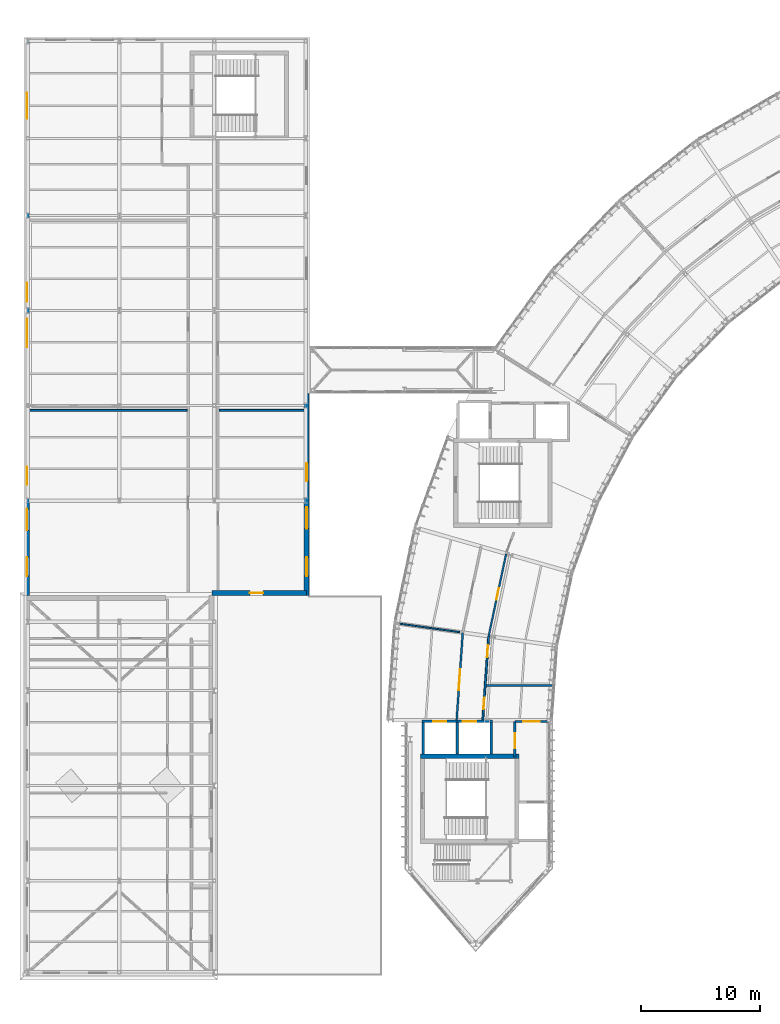
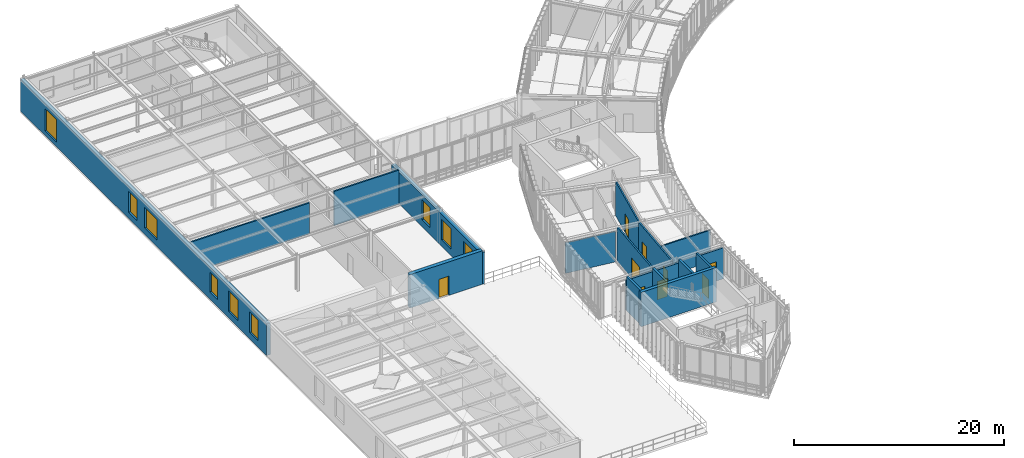
# One storey, part 39 of 52: 18 walls, 9 doors, 9 windows, 18 openings.
"""IFC4 building model written with IfcOpenShell, lengths in metres."""

from ifc_helpers import new_model, si_unit, direction, frame, frame_2d, origin, place, context, subcontext, project, spatial, rectangle, extrude, material, layer, layer_set, type_object, element, fill, save


model = new_model("IFC4")

# Units and contexts
model_context = context("Model", 3, precision=1e-05, world=origin(), true_north=direction((0.0, 1.0)))
body_context = subcontext(model_context, "Body", "Model", "MODEL_VIEW")
ifc_project = project(units=[si_unit("LENGTHUNIT", "METRE"), si_unit("AREAUNIT", "SQUARE_METRE"), si_unit("VOLUMEUNIT", "CUBIC_METRE"), si_unit("PLANEANGLEUNIT", "RADIAN"), si_unit("MASSUNIT", "GRAM", prefix="KILO"), si_unit("THERMODYNAMICTEMPERATUREUNIT", "KELVIN"), si_unit("POWERUNIT", "WATT")], contexts=[model_context])

# Site, building, storey
site_placement = place(None, origin())
site = spatial("IfcSite", under=ifc_project, at=site_placement, CompositionType="ELEMENT")
building_placement = place(site_placement, origin())
building = spatial("IfcBuilding", under=site, at=building_placement, Name="Solvatero Civic Police Headquarters", CompositionType="ELEMENT")
storey_placement = place(building_placement, frame((0.0, 0.0, 13.5)))
storey = spatial("IfcBuildingStorey", under=building, at=storey_placement, Name="L03", CompositionType="ELEMENT", Elevation=13.5)

# Wall, openings, windows
ifc_material_1 = material(Name="Cream Limestone Ashlar", Category="masonry")
ifc_layer_1 = layer(ifc_material_1, 0.419921875)
ifc_layer_set_1 = layer_set([ifc_layer_1], Name="Cream Limestone Ashlar")
wall_type_1 = type_object("IfcWallType", Name="WL-EXT-LIME-420", PredefinedType="SOLIDWALL", material=ifc_layer_set_1)
wall_1_placement = place(storey_placement, frame((4.719970703125, 36.5, 0.0), z_axis=(0.0, 0.0, 1.0), x_axis=(0.0, 1.0, 0.0)))
wall_1 = element("IfcWall", 1, at=wall_1_placement, inside=storey, type_object=wall_type_1, Name="Exterior Wall WLE-L03-V6-W", PredefinedType="SOLIDWALL", context=body_context, shape_type="SweptSolid", body=[
    extrude(rectangle(XDim=47.0, YDim=0.419921875, at=frame_2d((23.5, 0.0))), origin(), (0.0, 0.0, 1.0), 3.719970703125),
])
opening_1_placement = place(wall_1_placement, frame((1.64990234375, 0.0, 0.739990234375)))
opening_1 = element("IfcOpeningElement", 2, at=opening_1_placement, cuts=wall_1, Name="Opening W-04", PredefinedType="OPENING", context=body_context, shape_type="SweptSolid", body=[
    extrude(rectangle(XDim=1.60009765625, YDim=2.39990234375, at=frame_2d((0.800048828125, 1.199951171875))), frame((0.0, 0.219970703125, 0.0), z_axis=(0.0, -1.0, 0.0), x_axis=(1.0, 0.0, 0.0)), (0.0, 0.0, 1.0), 0.43994140625),
])
opening_2_placement = place(wall_1_placement, frame((5.5, 0.0, 0.739990234375)))
opening_2 = element("IfcOpeningElement", 3, at=opening_2_placement, cuts=wall_1, Name="Opening W-05", PredefinedType="OPENING", context=body_context, shape_type="SweptSolid", body=[
    extrude(rectangle(XDim=1.800048828125, YDim=2.39990234375, at=frame_2d((0.89990234375, 1.199951171875))), frame((0.0, 0.219970703125, 0.0), z_axis=(0.0, -1.0, 0.0), x_axis=(1.0, 0.0, 0.0)), (0.0, 0.0, 1.0), 0.43994140625),
])
opening_3_placement = place(wall_1_placement, frame((9.35009765625, 0.0, 0.840087890625)))
opening_3 = element("IfcOpeningElement", 4, at=opening_3_placement, cuts=wall_1, Name="Opening W-03", PredefinedType="OPENING", context=body_context, shape_type="SweptSolid", body=[
    extrude(rectangle(XDim=1.5, YDim=2.300048828125, at=frame_2d((0.75, 1.14990234375))), frame((0.0, 0.219970703125, 0.0), z_axis=(0.0, -1.0, 0.0), x_axis=(1.0, 0.0, 0.0)), (0.0, 0.0, 1.0), 0.43994140625),
])
opening_4_placement = place(wall_1_placement, frame((20.89990234375, 0.0, 0.739990234375)))
opening_4 = element("IfcOpeningElement", 5, at=opening_4_placement, cuts=wall_1, Name="Opening W-08", PredefinedType="OPENING", context=body_context, shape_type="SweptSolid", body=[
    extrude(rectangle(XDim=2.39990234375, YDim=2.39990234375, at=frame_2d((1.199951171875, 1.199951171875))), frame((0.0, 0.219970703125, 0.0), z_axis=(0.0, -1.0, 0.0), x_axis=(1.0, 0.0, 0.0)), (0.0, 0.0, 1.0), 0.43994140625),
])
opening_5_placement = place(wall_1_placement, frame((24.75, 0.0, 0.739990234375)))
opening_5 = element("IfcOpeningElement", 6, at=opening_5_placement, cuts=wall_1, Name="Opening W-04", PredefinedType="OPENING", context=body_context, shape_type="SweptSolid", body=[
    extrude(rectangle(XDim=1.60009765625, YDim=2.39990234375, at=frame_2d((0.800048828125, 1.199951171875))), frame((0.0, 0.219970703125, 0.0), z_axis=(0.0, -1.0, 0.0), x_axis=(1.0, 0.0, 0.0)), (0.0, 0.0, 1.0), 0.43994140625),
])
opening_6_placement = place(wall_1_placement, frame((40.14990234375, 0.0, 0.5400390625)))
opening_6 = element("IfcOpeningElement", 7, at=opening_6_placement, cuts=wall_1, Name="Opening W-07", PredefinedType="OPENING", context=body_context, shape_type="SweptSolid", body=[
    extrude(rectangle(XDim=2.199951171875, YDim=2.60009765625, at=frame_2d((1.10009765625, 1.300048828125))), frame((0.0, 0.219970703125, 0.0), z_axis=(0.0, -1.0, 0.0), x_axis=(1.0, 0.0, 0.0)), (0.0, 0.0, 1.0), 0.43994140625),
])
ifc_material_2 = material(Name="Anodized Bronze Aluminium", Category="aluminium")
window_type_1 = type_object("IfcWindowType", Name="WN-CL-150x230", PartitioningType="SINGLE_PANEL", PredefinedType="WINDOW", material=ifc_material_2)
window_1_placement = place(opening_3_placement, origin())
window_1 = element("IfcWindow", 8, at=window_1_placement, inside=storey, type_object=window_type_1, Name="Exterior Window 0096", OverallHeight=2.300048828125, OverallWidth=1.5, PartitioningType="SINGLE_PANEL", PredefinedType="WINDOW", context=body_context, shape_type="SweptSolid", body=[
    extrude(rectangle(XDim=1.5, YDim=2.300048828125, at=frame_2d((0.75, 1.14990234375))), frame((0.0, 0.030029296875, 0.0), z_axis=(0.0, -1.0, 0.0), x_axis=(1.0, 0.0, 0.0)), (0.0, 0.0, 1.0), 0.06005859375),
])
fill(opening_3, window_1)
window_type_2 = type_object("IfcWindowType", Name="WN-CL-160x240", PartitioningType="SINGLE_PANEL", PredefinedType="WINDOW", material=ifc_material_2)
window_2_placement = place(opening_1_placement, origin())
window_2 = element("IfcWindow", 9, at=window_2_placement, inside=storey, type_object=window_type_2, Name="Exterior Window 0094", OverallHeight=2.39990234375, OverallWidth=1.60009765625, PartitioningType="SINGLE_PANEL", PredefinedType="WINDOW", context=body_context, shape_type="SweptSolid", body=[
    extrude(rectangle(XDim=1.60009765625, YDim=2.39990234375, at=frame_2d((0.800048828125, 1.199951171875))), frame((0.0, 0.030029296875, 0.0), z_axis=(0.0, -1.0, 0.0), x_axis=(1.0, 0.0, 0.0)), (0.0, 0.0, 1.0), 0.06005859375),
])
fill(opening_1, window_2)
window_3_placement = place(opening_5_placement, origin())
window_3 = element("IfcWindow", 10, at=window_3_placement, inside=storey, type_object=window_type_2, Name="Exterior Window 0098", OverallHeight=2.39990234375, OverallWidth=1.60009765625, PartitioningType="SINGLE_PANEL", PredefinedType="WINDOW", context=body_context, shape_type="SweptSolid", body=[
    extrude(rectangle(XDim=1.60009765625, YDim=2.39990234375, at=frame_2d((0.800048828125, 1.199951171875))), frame((0.0, 0.030029296875, 0.0), z_axis=(0.0, -1.0, 0.0), x_axis=(1.0, 0.0, 0.0)), (0.0, 0.0, 1.0), 0.06005859375),
])
fill(opening_5, window_3)
window_type_3 = type_object("IfcWindowType", Name="WN-CL-180x240", PartitioningType="SINGLE_PANEL", PredefinedType="WINDOW", material=ifc_material_2)
window_4_placement = place(opening_2_placement, origin())
window_4 = element("IfcWindow", 11, at=window_4_placement, inside=storey, type_object=window_type_3, Name="Exterior Window 0095", OverallHeight=2.39990234375, OverallWidth=1.800048828125, PartitioningType="SINGLE_PANEL", PredefinedType="WINDOW", context=body_context, shape_type="SweptSolid", body=[
    extrude(rectangle(XDim=1.800048828125, YDim=2.39990234375, at=frame_2d((0.89990234375, 1.199951171875))), frame((0.0, 0.030029296875, 0.0), z_axis=(0.0, -1.0, 0.0), x_axis=(1.0, 0.0, 0.0)), (0.0, 0.0, 1.0), 0.06005859375),
])
fill(opening_2, window_4)
window_type_4 = type_object("IfcWindowType", Name="WN-CL-220x260", PartitioningType="SINGLE_PANEL", PredefinedType="WINDOW", material=ifc_material_2)
window_5_placement = place(opening_6_placement, origin())
window_5 = element("IfcWindow", 12, at=window_5_placement, inside=storey, type_object=window_type_4, Name="Exterior Window 0099", OverallHeight=2.60009765625, OverallWidth=2.199951171875, PartitioningType="SINGLE_PANEL", PredefinedType="WINDOW", context=body_context, shape_type="SweptSolid", body=[
    extrude(rectangle(XDim=2.199951171875, YDim=2.60009765625, at=frame_2d((1.10009765625, 1.300048828125))), frame((0.0, 0.030029296875, 0.0), z_axis=(0.0, -1.0, 0.0), x_axis=(1.0, 0.0, 0.0)), (0.0, 0.0, 1.0), 0.06005859375),
])
fill(opening_6, window_5)
window_type_5 = type_object("IfcWindowType", Name="WN-CL-240x240", PartitioningType="SINGLE_PANEL", PredefinedType="WINDOW", material=ifc_material_2)
window_6_placement = place(opening_4_placement, origin())
window_6 = element("IfcWindow", 13, at=window_6_placement, inside=storey, type_object=window_type_5, Name="Exterior Window 0097", OverallHeight=2.39990234375, OverallWidth=2.39990234375, PartitioningType="SINGLE_PANEL", PredefinedType="WINDOW", context=body_context, shape_type="SweptSolid", body=[
    extrude(rectangle(XDim=2.39990234375, YDim=2.39990234375, at=frame_2d((1.199951171875, 1.199951171875))), frame((0.0, 0.030029296875, 0.0), z_axis=(0.0, -1.0, 0.0), x_axis=(1.0, 0.0, 0.0)), (0.0, 0.0, 1.0), 0.06005859375),
])
fill(opening_4, window_6)

wall_2_placement = place(storey_placement, frame((28.280029296875, 36.5, 0.0), z_axis=(0.0, 0.0, 1.0), x_axis=(0.0, 1.0, 0.0)))
wall_2 = element("IfcWall", 14, at=wall_2_placement, inside=storey, type_object=wall_type_1, Name="Exterior Wall WLE-L03-V6-EA", PredefinedType="SOLIDWALL", context=body_context, shape_type="SweptSolid", body=[
    extrude(rectangle(XDim=17.0, YDim=0.419921875, at=frame_2d((8.5, 0.0))), origin(), (0.0, 0.0, 1.0), 3.719970703125),
])
opening_7_placement = place(wall_2_placement, frame((1.64990234375, 0.0, 0.739990234375)))
opening_7 = element("IfcOpeningElement", 15, at=opening_7_placement, cuts=wall_2, Name="Opening W-04", PredefinedType="OPENING", context=body_context, shape_type="SweptSolid", body=[
    extrude(rectangle(XDim=1.60009765625, YDim=2.39990234375, at=frame_2d((0.800048828125, 1.199951171875))), frame((0.0, 0.219970703125, 0.0), z_axis=(0.0, -1.0, 0.0), x_axis=(1.0, 0.0, 0.0)), (0.0, 0.0, 1.0), 0.43994140625),
])
opening_8_placement = place(wall_2_placement, frame((5.64990234375, 0.0, 0.739990234375)))
opening_8 = element("IfcOpeningElement", 16, at=opening_8_placement, cuts=wall_2, Name="Opening W-05", PredefinedType="OPENING", context=body_context, shape_type="SweptSolid", body=[
    extrude(rectangle(XDim=1.800048828125, YDim=2.39990234375, at=frame_2d((0.89990234375, 1.199951171875))), frame((0.0, 0.219970703125, 0.0), z_axis=(0.0, -1.0, 0.0), x_axis=(1.0, 0.0, 0.0)), (0.0, 0.0, 1.0), 0.43994140625),
])
opening_9_placement = place(wall_2_placement, frame((9.64990234375, 0.0, 0.840087890625)))
opening_9 = element("IfcOpeningElement", 17, at=opening_9_placement, cuts=wall_2, Name="Opening W-03", PredefinedType="OPENING", context=body_context, shape_type="SweptSolid", body=[
    extrude(rectangle(XDim=1.5, YDim=2.300048828125, at=frame_2d((0.75, 1.14990234375))), frame((0.0, 0.219970703125, 0.0), z_axis=(0.0, -1.0, 0.0), x_axis=(1.0, 0.0, 0.0)), (0.0, 0.0, 1.0), 0.43994140625),
])
window_7_placement = place(opening_9_placement, origin())
window_7 = element("IfcWindow", 18, at=window_7_placement, inside=storey, type_object=window_type_1, Name="Exterior Window 0090", OverallHeight=2.300048828125, OverallWidth=1.5, PartitioningType="SINGLE_PANEL", PredefinedType="WINDOW", context=body_context, shape_type="SweptSolid", body=[
    extrude(rectangle(XDim=1.5, YDim=2.300048828125, at=frame_2d((0.75, 1.14990234375))), frame((0.0, 0.030029296875, 0.0), z_axis=(0.0, -1.0, 0.0), x_axis=(1.0, 0.0, 0.0)), (0.0, 0.0, 1.0), 0.06005859375),
])
fill(opening_9, window_7)
window_8_placement = place(opening_7_placement, origin())
window_8 = element("IfcWindow", 19, at=window_8_placement, inside=storey, type_object=window_type_2, Name="Exterior Window 0088", OverallHeight=2.39990234375, OverallWidth=1.60009765625, PartitioningType="SINGLE_PANEL", PredefinedType="WINDOW", context=body_context, shape_type="SweptSolid", body=[
    extrude(rectangle(XDim=1.60009765625, YDim=2.39990234375, at=frame_2d((0.800048828125, 1.199951171875))), frame((0.0, 0.030029296875, 0.0), z_axis=(0.0, -1.0, 0.0), x_axis=(1.0, 0.0, 0.0)), (0.0, 0.0, 1.0), 0.06005859375),
])
fill(opening_7, window_8)
window_9_placement = place(opening_8_placement, origin())
window_9 = element("IfcWindow", 20, at=window_9_placement, inside=storey, type_object=window_type_3, Name="Exterior Window 0089", OverallHeight=2.39990234375, OverallWidth=1.800048828125, PartitioningType="SINGLE_PANEL", PredefinedType="WINDOW", context=body_context, shape_type="SweptSolid", body=[
    extrude(rectangle(XDim=1.800048828125, YDim=2.39990234375, at=frame_2d((0.89990234375, 1.199951171875))), frame((0.0, 0.030029296875, 0.0), z_axis=(0.0, -1.0, 0.0), x_axis=(1.0, 0.0, 0.0)), (0.0, 0.0, 1.0), 0.06005859375),
])
fill(opening_8, window_9)

# Wall, opening, door
wall_3_placement = place(storey_placement, frame((20.300048828125, 36.7099609375, 0.0), z_axis=(0.0, 0.0, 1.0), x_axis=(1.0, 0.0, 0.0)))
wall_3 = element("IfcWall", 21, at=wall_3_placement, inside=storey, type_object=wall_type_1, Name="Exterior Wall WLE-L03-V6-S", PredefinedType="SOLIDWALL", context=body_context, shape_type="SweptSolid", body=[
    extrude(rectangle(XDim=7.97998046875, YDim=0.419921875, at=frame_2d((3.989990234375, 0.0))), origin(), (0.0, 0.0, 1.0), 3.89990234375),
])
opening_10_placement = place(wall_3_placement, frame((4.300048828125, 0.0, 0.0), z_axis=(0.0, 0.0, 1.0), x_axis=(-1.0, 0.0, 0.0)))
opening_10 = element("IfcOpeningElement", 22, at=opening_10_placement, cuts=wall_3, Name="Opening ED-02", PredefinedType="OPENING", context=body_context, shape_type="SweptSolid", body=[
    extrude(rectangle(XDim=1.10009765625, YDim=2.25, at=frame_2d((0.550048828125, 1.125))), frame((0.0, 0.219970703125, 0.0), z_axis=(0.0, -1.0, 0.0), x_axis=(1.0, 0.0, 0.0)), (0.0, 0.0, 1.0), 0.43994140625),
])
ifc_material_3 = material(Name="Anodized Bronze Aluminium and Laminated Glass", Category="aluminium")
door_type_1 = type_object("IfcDoorType", Name="DR-EXT-110x225", OperationType="NOTDEFINED", PredefinedType="DOOR", material=ifc_material_3)
door_1_placement = place(opening_10_placement, origin())
door_1 = element("IfcDoor", 23, at=door_1_placement, inside=storey, type_object=door_type_1, Name="Exterior Door DR-L03-V6-TRG4", OperationType="SINGLE_SWING_LEFT", OverallHeight=2.25, OverallWidth=1.10009765625, PredefinedType="DOOR", context=body_context, shape_type="SweptSolid", body=[
    extrude(rectangle(XDim=1.10009765625, YDim=2.25, at=frame_2d((0.550048828125, 1.125))), frame((0.0, 0.02490234375, 0.0), z_axis=(0.0, -1.0, 0.0), x_axis=(1.0, 0.0, 0.0)), (0.0, 0.0, 1.0), 0.050048828125),
])
fill(opening_10, door_1)

# Wall
ifc_material_4 = material(Name="Gypsum Acoustic Stud", Category="gypsum")
ifc_layer_2 = layer(ifc_material_4, 0.1201171875)
ifc_layer_set_2 = layer_set([ifc_layer_2], Name="Gypsum Acoustic Stud")
wall_type_2 = type_object("IfcWallType", Name="WL-PTN-120", PredefinedType="PARTITIONING", material=ifc_layer_set_2)
wall_4_placement = place(storey_placement, frame((41.169189453125, 33.4248046875, 0.0), z_axis=(0.0, 0.0, 1.0), x_axis=(-0.990266484291, 0.13918437445, 0.0)))
element("IfcWall", 24, at=wall_4_placement, inside=storey, type_object=wall_type_2, Name="Interior Partition WLP-L03-ARC-RAD-B11", PredefinedType="PARTITIONING", context=body_context, shape_type="SweptSolid", body=[
    extrude(rectangle(XDim=5.14990234375, YDim=0.1201171875, at=frame_2d((2.574951171875, 0.0))), origin(), (0.0, 0.0, 1.0), 3.550048828125),
])

# Wall, opening, door
ifc_layer_3 = layer(ifc_material_4, 0.14990234375)
ifc_layer_set_3 = layer_set([ifc_layer_3], Name="Gypsum Acoustic Stud")
wall_type_3 = type_object("IfcWallType", Name="WL-PTN-150", PredefinedType="PARTITIONING", material=ifc_layer_set_3)
wall_5_placement = place(storey_placement, frame((45.07177734375, 40.02978515625, 0.0), z_axis=(0.0, 0.0, 1.0), x_axis=(-0.207903987445, -0.978149238104, 0.0)))
wall_5 = element("IfcWall", 25, at=wall_5_placement, inside=storey, type_object=wall_type_3, Name="Interior Partition WLP-L03-ARC-CIN-B11", PredefinedType="PARTITIONING", context=body_context, shape_type="SweptSolid", body=[
    extrude(rectangle(XDim=7.10107421875, YDim=0.14990234375, at=frame_2d((3.550537109375, 0.0))), origin(), (0.0, 0.0, 1.0), 3.97998046875),
])
opening_11_placement = place(wall_5_placement, frame((2.98193359375, 0.0, 0.0)))
opening_11 = element("IfcOpeningElement", 26, at=opening_11_placement, cuts=wall_5, Name="Opening ID-05", PredefinedType="OPENING", context=body_context, shape_type="SweptSolid", body=[
    extrude(rectangle(XDim=0.97998046875, YDim=2.159912109375, at=frame_2d((0.489990234375, 1.080078125))), frame((0.0, 0.0849609375, 0.0), z_axis=(0.0, -1.0, 0.0), x_axis=(1.0, 0.0, 0.0)), (0.0, 0.0, 1.0), 0.169921875),
])
ifc_material_5 = material(Name="Powder-Coated Steel", Category="steel")
door_type_2 = type_object("IfcDoorType", Name="DR-OFF-098x216", OperationType="NOTDEFINED", PredefinedType="DOOR", material=ifc_material_5)
door_2_placement = place(opening_11_placement, origin())
door_2 = element("IfcDoor", 27, at=door_2_placement, inside=storey, type_object=door_type_2, Name="Interior Door DR-L03-ARC-IN-B11", OperationType="SINGLE_SWING_RIGHT", OverallHeight=2.159912109375, OverallWidth=0.97998046875, PredefinedType="DOOR", context=body_context, shape_type="SweptSolid", body=[
    extrude(rectangle(XDim=0.97998046875, YDim=2.159912109375, at=frame_2d((0.489990234375, 1.080078125))), frame((0.0, 0.02490234375, 0.0), z_axis=(0.0, -1.0, 0.0), x_axis=(1.0, 0.0, 0.0)), (0.0, 0.0, 1.0), 0.050048828125),
])
fill(opening_11, door_2)

# Walls
wall_6_placement = place(storey_placement, frame((43.374755859375, 28.929931640625, 0.0), z_axis=(0.0, 0.0, 1.0), x_axis=(1.0, 0.0, 0.0)))
element("IfcWall", 28, at=wall_6_placement, inside=storey, type_object=wall_type_3, Name="Interior Partition WLP-L03-ARC-WCDIV-B12", PredefinedType="PARTITIONING", context=body_context, shape_type="SweptSolid", body=[
    extrude(rectangle(XDim=5.630126953125, YDim=0.14990234375, at=frame_2d((2.81494140625, 0.0))), origin(), (0.0, 0.0, 1.0), 3.697998046875),
])
ifc_material_6 = material(Name="Concrete Blockwork", Category="masonry")
ifc_layer_4 = layer(ifc_material_6, 0.1650390625)
ifc_layer_set_4 = layer_set([ifc_layer_4], Name="Concrete Blockwork")
wall_type_4 = type_object("IfcWallType", Name="WL-PTN-165", PredefinedType="PARTITIONING", material=ifc_layer_set_4)
wall_7_placement = place(storey_placement, frame((5.0, 52.10009765625, 0.0), z_axis=(0.0, 0.0, 1.0), x_axis=(1.0, 0.0, 0.0)))
element("IfcWall", 29, at=wall_7_placement, inside=storey, type_object=wall_type_4, Name="Interior Partition WLP-L03-V6-H1", PredefinedType="PARTITIONING", context=body_context, shape_type="SweptSolid", body=[
    extrude(rectangle(XDim=13.199951171875, YDim=0.1650390625, at=frame_2d((6.60009765625, 0.0))), origin(), (0.0, 0.0, 1.0), 3.597900390625),
])
wall_8_placement = place(storey_placement, frame((20.89990234375, 52.10009765625, 0.0), z_axis=(0.0, 0.0, 1.0), x_axis=(1.0, 0.0, 0.0)))
element("IfcWall", 30, at=wall_8_placement, inside=storey, type_object=wall_type_4, Name="Interior Partition WLP-L03-V6-H2", PredefinedType="PARTITIONING", context=body_context, shape_type="SweptSolid", body=[
    extrude(rectangle(XDim=7.150146484375, YDim=0.1650390625, at=frame_2d((3.5751953125, 0.0))), origin(), (0.0, 0.0, 1.0), 3.97998046875),
])

# Wall, openings, doors
wall_9_placement = place(storey_placement, frame((43.595458984375, 33.083984375, 0.0), z_axis=(0.0, 0.0, 1.0), x_axis=(-0.069756597752, -0.997564041588, 0.0)))
wall_9 = element("IfcWall", 31, at=wall_9_placement, inside=storey, type_object=wall_type_4, Name="Interior Partition WLP-L03-ARC-CIN-B12", PredefinedType="PARTITIONING", context=body_context, shape_type="SweptSolid", body=[
    extrude(rectangle(XDim=7.101318359375, YDim=0.1650390625, at=frame_2d((3.55078125, 0.0))), origin(), (0.0, 0.0, 1.0), 3.97998046875),
])
opening_12_placement = place(wall_9_placement, frame((5.200927734375, 0.0, 0.0)))
opening_12 = element("IfcOpeningElement", 32, at=opening_12_placement, cuts=wall_9, Name="Opening ID-04", PredefinedType="OPENING", context=body_context, shape_type="SweptSolid", body=[
    extrude(rectangle(XDim=0.949951171875, YDim=2.14990234375, at=frame_2d((0.47509765625, 1.074951171875))), frame((0.0, 0.092529296875, 0.0), z_axis=(0.0, -1.0, 0.0), x_axis=(1.0, 0.0, 0.0)), (0.0, 0.0, 1.0), 0.18505859375),
])
opening_13_placement = place(wall_9_placement, frame((0.75, 0.0, 0.0)))
opening_13 = element("IfcOpeningElement", 33, at=opening_13_placement, cuts=wall_9, Name="Opening ID-06", PredefinedType="OPENING", context=body_context, shape_type="SweptSolid", body=[
    extrude(rectangle(XDim=1.02001953125, YDim=2.179931640625, at=frame_2d((0.510009765625, 1.08984375))), frame((0.0, 0.092529296875, 0.0), z_axis=(0.0, -1.0, 0.0), x_axis=(1.0, 0.0, 0.0)), (0.0, 0.0, 1.0), 0.18505859375),
])
ifc_material_7 = material(Name="Acoustic Oak Timber Veneer", Category="wood")
door_type_3 = type_object("IfcDoorType", Name="DR-ACC-095x215", OperationType="NOTDEFINED", PredefinedType="DOOR", material=ifc_material_7)
door_3_placement = place(opening_12_placement, origin())
door_3 = element("IfcDoor", 34, at=door_3_placement, inside=storey, type_object=door_type_3, Name="Interior Door DR-L03-ARC-WC-B12", OperationType="SINGLE_SWING_RIGHT", OverallHeight=2.14990234375, OverallWidth=0.949951171875, PredefinedType="DOOR", context=body_context, shape_type="SweptSolid", body=[
    extrude(rectangle(XDim=0.949951171875, YDim=2.14990234375, at=frame_2d((0.47509765625, 1.074951171875))), frame((0.0, 0.02490234375, 0.0), z_axis=(0.0, -1.0, 0.0), x_axis=(1.0, 0.0, 0.0)), (0.0, 0.0, 1.0), 0.050048828125),
])
fill(opening_12, door_3)
door_type_4 = type_object("IfcDoorType", Name="DR-LAB-102x218", OperationType="NOTDEFINED", PredefinedType="DOOR", material=ifc_material_5)
door_4_placement = place(opening_13_placement, origin())
door_4 = element("IfcDoor", 35, at=door_4_placement, inside=storey, type_object=door_type_4, Name="Interior Door DR-L03-ARC-IN-B12", OperationType="SINGLE_SWING_LEFT", OverallHeight=2.179931640625, OverallWidth=1.02001953125, PredefinedType="DOOR", context=body_context, shape_type="SweptSolid", body=[
    extrude(rectangle(XDim=1.02001953125, YDim=2.179931640625, at=frame_2d((0.510009765625, 1.08984375))), frame((0.0, 0.02490234375, 0.0), z_axis=(0.0, -1.0, 0.0), x_axis=(1.0, 0.0, 0.0)), (0.0, 0.0, 1.0), 0.050048828125),
])
fill(opening_13, door_4)

# Wall, opening, door
wall_10_placement = place(storey_placement, frame((41.416748046875, 33.39013671875, 0.0), z_axis=(0.0, 0.0, 1.0), x_axis=(-0.069766817412, -0.997563326906, 0.0)))
wall_10 = element("IfcWall", 36, at=wall_10_placement, inside=storey, type_object=wall_type_4, Name="Interior Partition WLP-L03-ARC-COUT-B12", PredefinedType="PARTITIONING", context=body_context, shape_type="SweptSolid", body=[
    extrude(rectangle(XDim=7.408203125, YDim=0.1650390625, at=frame_2d((3.7041015625, 0.0))), origin(), (0.0, 0.0, 1.0), 3.97998046875),
])
opening_14_placement = place(wall_10_placement, frame((3.111083984375, 0.0, 0.0)))
opening_14 = element("IfcOpeningElement", 37, at=opening_14_placement, cuts=wall_10, Name="Opening ID-17", PredefinedType="OPENING", context=body_context, shape_type="SweptSolid", body=[
    extrude(rectangle(XDim=1.760009765625, YDim=2.360107421875, at=frame_2d((0.8798828125, 1.18017578125))), frame((0.0, 0.092529296875, 0.0), z_axis=(0.0, -1.0, 0.0), x_axis=(1.0, 0.0, 0.0)), (0.0, 0.0, 1.0), 0.18505859375),
])
door_type_5 = type_object("IfcDoorType", Name="DR-DBL-176x236", OperationType="NOTDEFINED", PredefinedType="DOOR", material=ifc_material_5)
door_5_placement = place(opening_14_placement, origin())
door_5 = element("IfcDoor", 38, at=door_5_placement, inside=storey, type_object=door_type_5, Name="Interior Door DR-L03-ARC-OUT-B12", OperationType="DOUBLE_DOOR_SINGLE_SWING", OverallHeight=2.360107421875, OverallWidth=1.760009765625, PredefinedType="DOOR", context=body_context, shape_type="SweptSolid", body=[
    extrude(rectangle(XDim=1.760009765625, YDim=2.360107421875, at=frame_2d((0.8798828125, 1.18017578125))), frame((0.0, 0.02490234375, 0.0), z_axis=(0.0, -1.0, 0.0), x_axis=(1.0, 0.0, 0.0)), (0.0, 0.0, 1.0), 0.050048828125),
])
fill(opening_14, door_5)

ifc_layer_5 = layer(ifc_material_6, 0.199951171875)
ifc_layer_set_5 = layer_set([ifc_layer_5], Name="Concrete Blockwork")
wall_type_5 = type_object("IfcWallType", Name="WL-PTN-200", PredefinedType="PARTITIONING", material=ifc_layer_set_5)
wall_11_placement = place(storey_placement, frame((45.800048828125, 22.89990234375, 0.0), z_axis=(0.0, 0.0, 1.0), x_axis=(0.0, 1.0, 0.0)))
wall_11 = element("IfcWall", 39, at=wall_11_placement, inside=storey, type_object=wall_type_5, Name="Interior Partition WLP-FFL-C1-L03-W", PredefinedType="PARTITIONING", context=body_context, shape_type="SweptSolid", body=[
    extrude(rectangle(XDim=3.0, YDim=0.199951171875, at=frame_2d((1.5, 0.0))), origin(), (0.0, 0.0, 1.0), 3.97998046875),
])
opening_15_placement = place(wall_11_placement, frame((0.75, 0.0, 0.0)))
opening_15 = element("IfcOpeningElement", 40, at=opening_15_placement, cuts=wall_11, Name="Opening FD-01", PredefinedType="OPENING", context=body_context, shape_type="SweptSolid", body=[
    extrude(rectangle(XDim=1.25, YDim=2.199951171875, at=frame_2d((0.625, 1.10009765625))), frame((0.0, 0.10986328125, 0.0), z_axis=(0.0, -1.0, 0.0), x_axis=(1.0, 0.0, 0.0)), (0.0, 0.0, 1.0), 0.219970703125),
])
door_type_6 = type_object("IfcDoorType", Name="DR-STR-125x220", OperationType="NOTDEFINED", PredefinedType="DOOR", material=ifc_material_5)
door_6_placement = place(opening_15_placement, origin())
door_6 = element("IfcDoor", 41, at=door_6_placement, inside=storey, type_object=door_type_6, Name="Interior Door DR-FFL-C1-L03-W", OperationType="SINGLE_SWING_LEFT", OverallHeight=2.199951171875, OverallWidth=1.25, PredefinedType="DOOR", context=body_context, shape_type="SweptSolid", body=[
    extrude(rectangle(XDim=1.25, YDim=2.199951171875, at=frame_2d((0.625, 1.10009765625))), frame((0.0, 0.02490234375, 0.0), z_axis=(0.0, -1.0, 0.0), x_axis=(1.0, 0.0, 0.0)), (0.0, 0.0, 1.0), 0.050048828125),
])
fill(opening_15, door_6)

wall_12_placement = place(storey_placement, frame((45.800048828125, 25.89990234375, 0.0), z_axis=(0.0, 0.0, 1.0), x_axis=(1.0, 0.0, 0.0)))
wall_12 = element("IfcWall", 42, at=wall_12_placement, inside=storey, type_object=wall_type_5, Name="Interior Partition WLP-FFL-C1-L03-N", PredefinedType="PARTITIONING", context=body_context, shape_type="SweptSolid", body=[
    extrude(rectangle(XDim=2.849853515625, YDim=0.199951171875, at=frame_2d((1.4248046875, 0.0))), origin(), (0.0, 0.0, 1.0), 3.60009765625),
])
opening_16_placement = place(wall_12_placement, frame((0.699951171875, 0.0, 0.0)))
opening_16 = element("IfcOpeningElement", 43, at=opening_16_placement, cuts=wall_12, Name="Opening FD-02", PredefinedType="OPENING", context=body_context, shape_type="SweptSolid", body=[
    extrude(rectangle(XDim=1.39990234375, YDim=2.25, at=frame_2d((0.699951171875, 1.125))), frame((0.0, 0.10986328125, 0.0), z_axis=(0.0, -1.0, 0.0), x_axis=(1.0, 0.0, 0.0)), (0.0, 0.0, 1.0), 0.219970703125),
])
door_type_7 = type_object("IfcDoorType", Name="DR-LOB-140x225", OperationType="NOTDEFINED", PredefinedType="DOOR", material=ifc_material_5)
door_7_placement = place(opening_16_placement, origin())
door_7 = element("IfcDoor", 44, at=door_7_placement, inside=storey, type_object=door_type_7, Name="Interior Door DR-FFL-C1-L03-ACC", OperationType="DOUBLE_DOOR_SINGLE_SWING", OverallHeight=2.25, OverallWidth=1.39990234375, PredefinedType="DOOR", context=body_context, shape_type="SweptSolid", body=[
    extrude(rectangle(XDim=1.39990234375, YDim=2.25, at=frame_2d((0.699951171875, 1.125))), frame((0.0, 0.02490234375, 0.0), z_axis=(0.0, -1.0, 0.0), x_axis=(1.0, 0.0, 0.0)), (0.0, 0.0, 1.0), 0.050048828125),
])
fill(opening_16, door_7)

ifc_material_8 = material(Name="Concrete C35/45", Category="concrete")
ifc_layer_6 = layer(ifc_material_8, 0.219970703125)
ifc_layer_set_6 = layer_set([ifc_layer_6], Name="Concrete C35/45")
wall_type_6 = type_object("IfcWallType", Name="WL-SHF-220", PredefinedType="PARTITIONING", material=ifc_layer_set_6)
wall_13_placement = place(storey_placement, frame((37.97998046875, 25.909912109375, 0.0), z_axis=(0.0, 0.0, 1.0), x_axis=(1.0, 0.0, 0.0)))
wall_13 = element("IfcWall", 45, at=wall_13_placement, inside=storey, type_object=wall_type_6, Name="Lift Shaft Wall WLS-LP-01-L03-N", PredefinedType="PARTITIONING", context=body_context, shape_type="SweptSolid", body=[
    extrude(rectangle(XDim=2.969970703125, YDim=0.219970703125, at=frame_2d((1.48486328125, 0.0))), origin(), (0.0, 0.0, 1.0), 3.550048828125),
])
opening_17_placement = place(wall_13_placement, frame((0.93505859375, 0.0, 0.0)))
opening_17 = element("IfcOpeningElement", 46, at=opening_17_placement, cuts=wall_13, Name="Opening LD-01", PredefinedType="OPENING", context=body_context, shape_type="SweptSolid", body=[
    extrude(rectangle(XDim=1.10009765625, YDim=2.14990234375, at=frame_2d((0.550048828125, 1.074951171875))), frame((0.0, 0.119873046875, 0.0), z_axis=(0.0, -1.0, 0.0), x_axis=(1.0, 0.0, 0.0)), (0.0, 0.0, 1.0), 0.239990234375),
])
ifc_material_9 = material(Name="Stainless Steel Grade 316", Category="steel")
door_type_8 = type_object("IfcDoorType", Name="DR-LFT-110x215", OperationType="DOUBLE_DOOR_SLIDING", PredefinedType="DOOR", material=ifc_material_9)
door_8_placement = place(opening_17_placement, origin())
door_8 = element("IfcDoor", 47, at=door_8_placement, inside=storey, type_object=door_type_8, Name="Interior Door DR-LFT-LP-01-L03", OperationType="DOUBLE_DOOR_SLIDING", OverallHeight=2.14990234375, OverallWidth=1.10009765625, PredefinedType="DOOR", context=body_context, shape_type="SweptSolid", body=[
    extrude(rectangle(XDim=1.10009765625, YDim=2.14990234375, at=frame_2d((0.550048828125, 1.074951171875))), frame((0.0, 0.02490234375, 0.0), z_axis=(0.0, -1.0, 0.0), x_axis=(1.0, 0.0, 0.0)), (0.0, 0.0, 1.0), 0.050048828125),
])
fill(opening_17, door_8)

# Walls
for number, where, z_axis, x_axis, name in (
    (48, (38.090087890625, 23.159912109375, 0.0), (0.0, 0.0, 1.0), (0.0, 1.0, 0.0), "Lift Shaft Wall WLS-LP-01-L03-W"),
    (49, (40.949951171875, 23.159912109375, 0.0), (0.0, 0.0, 1.0), (0.0, 1.0, 0.0), "Lift Shaft Wall WLS-LP-01-L03-E"),
):
    element("IfcWall", number, at=place(storey_placement, frame(where, z_axis=z_axis, x_axis=x_axis)), inside=storey, type_object=wall_type_6, Name=name, PredefinedType="PARTITIONING", context=body_context, shape_type="SweptSolid", body=[
        extrude(rectangle(XDim=2.64013671875, YDim=0.219970703125, at=frame_2d((1.320068359375, 0.0))), origin(), (0.0, 0.0, 1.0), 3.97998046875),
    ])

# Wall, opening, door
wall_14_placement = place(storey_placement, frame((40.949951171875, 25.909912109375, 0.0), z_axis=(0.0, 0.0, 1.0), x_axis=(1.0, 0.0, 0.0)))
wall_14 = element("IfcWall", 50, at=wall_14_placement, inside=storey, type_object=wall_type_6, Name="Lift Shaft Wall WLS-LP-02-L03-N", PredefinedType="PARTITIONING", context=body_context, shape_type="SweptSolid", body=[
    extrude(rectangle(XDim=2.969970703125, YDim=0.219970703125, at=frame_2d((1.48486328125, 0.0))), origin(), (0.0, 0.0, 1.0), 3.550048828125),
])
opening_18_placement = place(wall_14_placement, frame((0.485107421875, 0.0, 0.0)))
opening_18 = element("IfcOpeningElement", 51, at=opening_18_placement, cuts=wall_14, Name="Opening LD-01", PredefinedType="OPENING", context=body_context, shape_type="SweptSolid", body=[
    extrude(rectangle(XDim=1.10009765625, YDim=2.14990234375, at=frame_2d((0.550048828125, 1.074951171875))), frame((0.0, 0.119873046875, 0.0), z_axis=(0.0, -1.0, 0.0), x_axis=(1.0, 0.0, 0.0)), (0.0, 0.0, 1.0), 0.239990234375),
])
door_9_placement = place(opening_18_placement, origin())
door_9 = element("IfcDoor", 52, at=door_9_placement, inside=storey, type_object=door_type_8, Name="Interior Door DR-LFT-LP-02-L03", OperationType="DOUBLE_DOOR_SLIDING", OverallHeight=2.14990234375, OverallWidth=1.10009765625, PredefinedType="DOOR", context=body_context, shape_type="SweptSolid", body=[
    extrude(rectangle(XDim=1.10009765625, YDim=2.14990234375, at=frame_2d((0.550048828125, 1.074951171875))), frame((0.0, 0.02490234375, 0.0), z_axis=(0.0, -1.0, 0.0), x_axis=(1.0, 0.0, 0.0)), (0.0, 0.0, 1.0), 0.050048828125),
])
fill(opening_18, door_9)

# Walls
wall_15_placement = place(storey_placement, frame((43.81005859375, 23.159912109375, 0.0), z_axis=(0.0, 0.0, 1.0), x_axis=(0.0, 1.0, 0.0)))
element("IfcWall", 53, at=wall_15_placement, inside=storey, type_object=wall_type_6, Name="Lift Shaft Wall WLS-LP-02-L03-E", PredefinedType="PARTITIONING", context=body_context, shape_type="SweptSolid", body=[
    extrude(rectangle(XDim=2.64013671875, YDim=0.219970703125, at=frame_2d((1.320068359375, 0.0))), origin(), (0.0, 0.0, 1.0), 3.97998046875),
])
ifc_material_10 = material(Name="Concrete C40/50", Category="concrete")
ifc_layer_7 = layer(ifc_material_10, 0.35009765625)
ifc_layer_set_7 = layer_set([ifc_layer_7], Name="Concrete C40/50")
wall_type_7 = type_object("IfcWallType", Name="WL-SHR-350", PredefinedType="SHEAR", material=ifc_layer_set_7)
wall_16_placement = place(storey_placement, frame((37.85009765625, 22.97509765625, 0.0), z_axis=(0.0, 0.0, 1.0), x_axis=(1.0, 0.0, 0.0)))
element("IfcWall", 54, at=wall_16_placement, inside=storey, type_object=wall_type_7, Name="Core C1 Shear Wall N L03", PredefinedType="SHEAR", context=body_context, shape_type="SweptSolid", body=[
    extrude(rectangle(XDim=8.2998046875, YDim=0.35009765625, at=frame_2d((4.14990234375, 0.0))), origin(), (0.0, 0.0, 1.0), 4.0),
])

save(model, "model.ifc")
